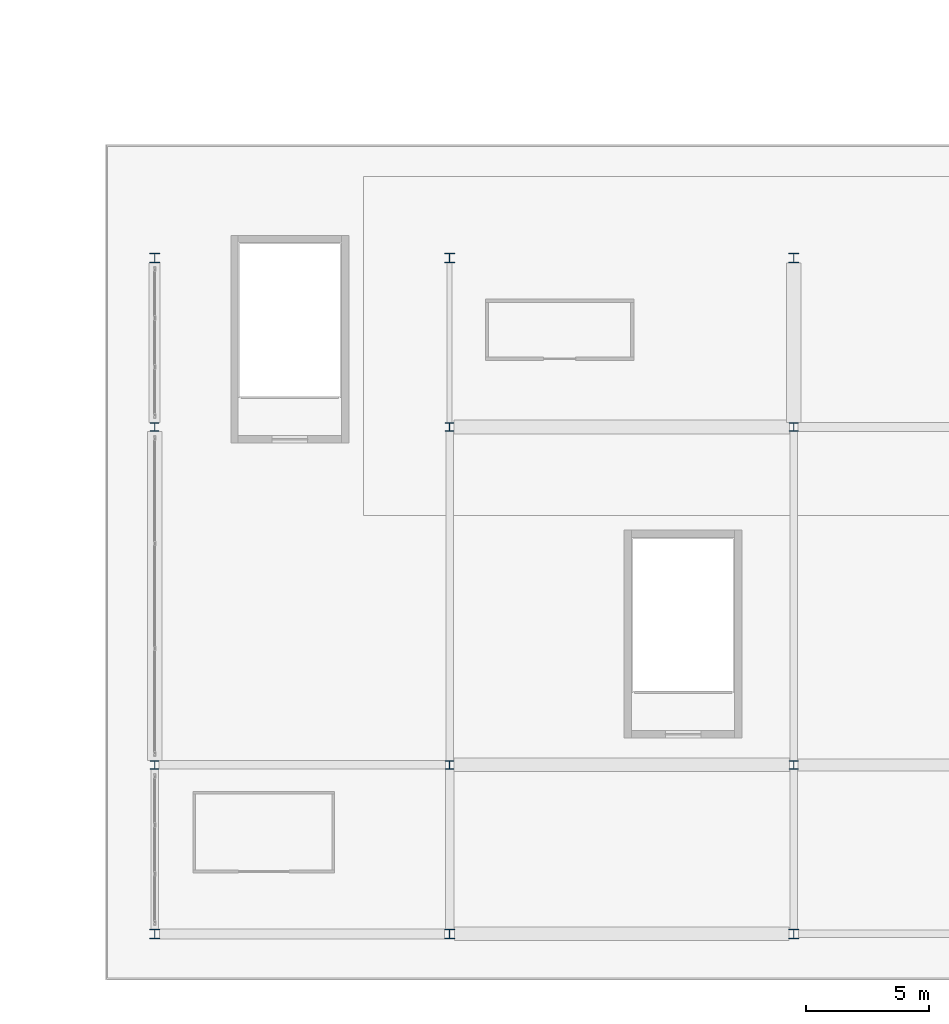
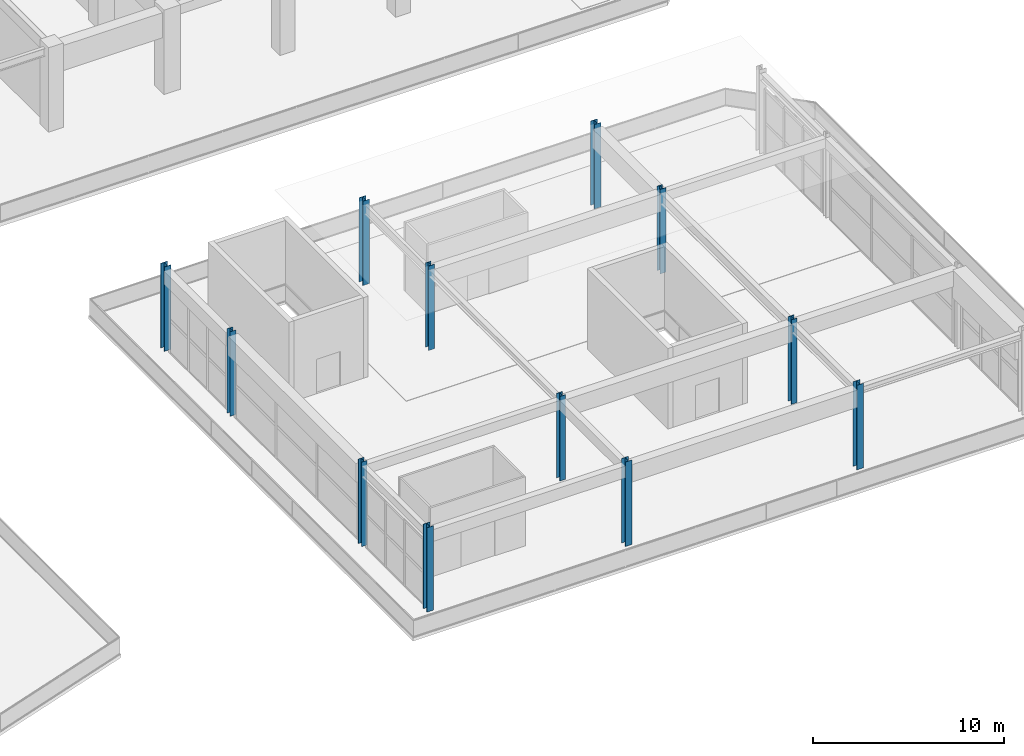
# One storey, part 9 of 117: 12 columns.
"""IFC4 building model written with IfcOpenShell, lengths in metres."""

import ifcopenshell
import ifcopenshell.guid

model = None  # the IFC model being written
_history = None  # IfcOwnerHistory: only IFC2X3 demands one
_inside = {}  # id of a spatial element -> (the spatial element, [elements in it])
_under = {}  # id of a project, library or spatial element -> (it, [spatial elements below it])
_declared = {}  # id of a project -> (the project, [libraries it declares])
_typed = {}  # id of a type object -> (the type object, [elements of that type])
_made_of = {}  # id of a material, layer set ... -> (it, [elements and type objects made of it])


def new_model(schema):
    """Start an empty IFC model of exactly this schema.

    Asked for "IFC4X3", IfcOpenShell would pick the latest addendum, in which some entities
    have other attributes; the version numbers below select the first issue.
    IFC2X3 requires an IfcOwnerHistory on every rooted entity: one is made here for all.
    """
    global model, _history
    if schema == "IFC4X3":
        model = ifcopenshell.file(schema_version=(4, 3, 0, 0))
    else:
        model = ifcopenshell.file(schema=schema)
    _inside.clear()
    _under.clear()
    _declared.clear()
    _typed.clear()
    _made_of.clear()
    _history = None
    if model.schema == "IFC2X3":
        org = make("IfcOrganization", Name="unknown")
        user = make(
            "IfcPersonAndOrganization",
            ThePerson=make("IfcPerson", FamilyName="unknown"),
            TheOrganization=org,
        )
        app = make(
            "IfcApplication",
            ApplicationDeveloper=org,
            Version="unknown",
            ApplicationFullName="unknown",
            ApplicationIdentifier="unknown",
        )
        _history = make(
            "IfcOwnerHistory",
            OwningUser=user,
            OwningApplication=app,
            ChangeAction="ADDED",
            CreationDate=0,
        )
    return model


def make(cls, **values):
    """One entity of the class cls with the attributes given. An attribute that is None is left unset."""
    return model.create_entity(
        cls, **{name: value for name, value in values.items() if value is not None}
    )


def rooted(cls, **values):
    """An entity with a GlobalId (a new one), such as an element, a storey or a relation."""
    return make(cls, GlobalId=ifcopenshell.guid.new(), OwnerHistory=_history, **values)


def si_unit(unit_type, name, prefix=None):
    """IfcSIUnit, for example si_unit("LENGTHUNIT", "METRE", prefix="MILLI")."""
    return make("IfcSIUnit", UnitType=unit_type, Prefix=prefix, Name=name)


def assignment(units):
    """IfcUnitAssignment: the units of a project."""
    return None if units is None else make("IfcUnitAssignment", Units=units)


def point(xyz):
    """IfcCartesianPoint."""
    return None if xyz is None else make("IfcCartesianPoint", Coordinates=xyz)


def direction(xyz):
    """IfcDirection."""
    return None if xyz is None else make("IfcDirection", DirectionRatios=xyz)


def frame(location, z_axis=None, x_axis=None):
    """IfcAxis2Placement3D, a coordinate frame: its origin and axes. An axis left out is left unset."""
    return make(
        "IfcAxis2Placement3D",
        Location=point(location),
        Axis=direction(z_axis),
        RefDirection=direction(x_axis),
    )


def frame_2d(location, x_axis=None):
    """IfcAxis2Placement2D, a coordinate frame in the plane: its origin and x axis."""
    return make(
        "IfcAxis2Placement2D", Location=point(location), RefDirection=direction(x_axis)
    )


def origin():
    """The frame at (0, 0, 0) with its axes left unset."""
    return frame((0.0, 0.0, 0.0))


def origin_2d():
    """The frame at (0, 0) in the plane with its x axis left unset."""
    return frame_2d((0.0, 0.0))


def place(relative_to, where):
    """IfcLocalPlacement: puts the frame where relative to a parent placement (None: the world)."""
    return make(
        "IfcLocalPlacement", PlacementRelTo=relative_to, RelativePlacement=where
    )


def context(
    kind, dimensions, precision=None, world=None, true_north=None, identifier=None
):
    """IfcGeometricRepresentationContext, for example the 3D "Model" context."""
    return make(
        "IfcGeometricRepresentationContext",
        ContextIdentifier=identifier,
        ContextType=kind,
        CoordinateSpaceDimension=dimensions,
        Precision=precision,
        WorldCoordinateSystem=world,
        TrueNorth=true_north,
    )


def subcontext(parent, identifier, kind, view, scale=None):
    """IfcGeometricRepresentationSubContext, for example "Body" below "Model"."""
    return make(
        "IfcGeometricRepresentationSubContext",
        ContextIdentifier=identifier,
        ContextType=kind,
        ParentContext=parent,
        TargetScale=scale,
        TargetView=view,
    )


def project(units=None, contexts=None):
    """IfcProject with its units and contexts."""
    return rooted(
        "IfcProject",
        Name="project",
        RepresentationContexts=contexts,
        UnitsInContext=assignment(units),
    )


def spatial(cls, under=None, at=None, **own):
    """A site, building, storey or space (cls), placed at a placement, below another one or the project."""
    s = rooted(cls, ObjectPlacement=at, **own)
    if under is not None:
        _under.setdefault(under.id(), (under, []))[1].append(s)
    return s


def profile(cls, at=None, kind="AREA", **sizes):
    """A parametric profile (cls). Its sizes go by their IFC names, for example OverallWidth=200.0."""
    return make(cls, ProfileType=kind, Position=at, **sizes)


def i_section(**sizes):
    """IfcIShapeProfileDef."""
    return profile("IfcIShapeProfileDef", **sizes)


def extrude(swept, where, along, depth):
    """IfcExtrudedAreaSolid: the profile swept, set in the frame where, extruded along a direction by depth."""
    return make(
        "IfcExtrudedAreaSolid",
        SweptArea=swept,
        Position=where,
        ExtrudedDirection=direction(along),
        Depth=depth,
    )


def shape(context_of_items, identifier, shape_type, items):
    """IfcShapeRepresentation: the items that make up one representation, for example the "Body"."""
    return make(
        "IfcShapeRepresentation",
        ContextOfItems=context_of_items,
        RepresentationIdentifier=identifier,
        RepresentationType=shape_type,
        Items=items,
    )


def material(Name=None, Category=None):
    """IfcMaterial."""
    return make("IfcMaterial", Name=Name, Category=Category)


def material_profile(
    of_material, cross_section, Name=None, Category=None, Priority=None
):
    """IfcMaterialProfile: a cross section and its material."""
    return make(
        "IfcMaterialProfile",
        Name=Name,
        Material=of_material,
        Profile=cross_section,
        Priority=Priority,
        Category=Category,
    )


def profile_set(profiles, Name=None, composite=None):
    """IfcMaterialProfileSet."""
    return make(
        "IfcMaterialProfileSet",
        Name=Name,
        MaterialProfiles=profiles,
        CompositeProfile=composite,
    )


def made_of(thing, what):
    """Note that an element or type object is made of a material, layer set ...; save() writes the relation."""
    if what is not None:
        _made_of.setdefault(what.id(), (what, []))[1].append(thing)
    return thing


def type_object(cls, material=None, **own):
    """A type object (cls), such as IfcWallType, which elements share."""
    return made_of(rooted(cls, **own), material)


def element(
    cls,
    number,
    at=None,
    inside=None,
    cuts=None,
    type_object=None,
    material=None,
    context=None,
    identifier="Body",
    shape_type=None,
    held_by="IfcProductDefinitionShape",
    body=None,
    shapes=None,
    **own,
):
    """One element of the class cls, such as IfcWall. Its Tag is "e" and its number.

    at: its placement. inside: the storey or other place that contains it. cuts: it is an
    opening in that element (IfcRelVoidsElement). A single representation is given by context,
    identifier, shape_type and body (its items); several are given by shapes. held_by: the class
    of the entity that holds the representations. save() writes the other relations.
    """
    e = rooted(cls, Tag="e%d" % number, ObjectPlacement=at, **own)
    if body is not None:
        shapes = [shape(context, identifier, shape_type, body)]
    if shapes is not None:
        e.Representation = make(held_by, Representations=shapes)
    if inside is not None:
        _inside.setdefault(inside.id(), (inside, []))[1].append(e)
    if cuts is not None:
        rooted(
            "IfcRelVoidsElement", RelatingBuildingElement=cuts, RelatedOpeningElement=e
        )
    if type_object is not None:
        _typed.setdefault(type_object.id(), (type_object, []))[1].append(e)
    return made_of(e, material)


def aggregate(whole, parts):
    """IfcRelAggregates: a whole, such as a stair, and the parts it consists of."""
    return rooted("IfcRelAggregates", RelatingObject=whole, RelatedObjects=parts)


def save(model, path):
    """Write the relations noted so far, then the file.

    IfcRelAggregates (storeys below a building ...), IfcRelContainedInSpatialStructure (elements
    in a storey), IfcRelDefinesByType, IfcRelAssociatesMaterial and IfcRelDeclares: one each for
    every whole, place, type object, material and project.
    """
    for whole, parts in _under.values():
        aggregate(whole, parts)
    for where, things in _inside.values():
        rooted(
            "IfcRelContainedInSpatialStructure",
            RelatedElements=things,
            RelatingStructure=where,
        )
    for kind, things in _typed.values():
        rooted("IfcRelDefinesByType", RelatedObjects=things, RelatingType=kind)
    for what, things in _made_of.values():
        rooted("IfcRelAssociatesMaterial", RelatedObjects=things, RelatingMaterial=what)
    for by, libraries in _declared.values():
        rooted("IfcRelDeclares", RelatingContext=by, RelatedDefinitions=libraries)
    model.write(path)


model = new_model("IFC4")

# Units and contexts
model_context = context("Model", 3, precision=1e-05, world=origin(), true_north=direction((0.0, 1.0)))
body_context = subcontext(model_context, "Body", "Model", "MODEL_VIEW")
ifc_project = project(units=[si_unit("LENGTHUNIT", "METRE"), si_unit("AREAUNIT", "SQUARE_METRE"), si_unit("VOLUMEUNIT", "CUBIC_METRE"), si_unit("PLANEANGLEUNIT", "RADIAN"), si_unit("MASSUNIT", "GRAM", prefix="KILO")], contexts=[model_context])

# Site, building, storey
site_placement = place(None, origin())
site = spatial("IfcSite", under=ifc_project, at=site_placement, CompositionType="ELEMENT")
building_placement = place(site_placement, origin())
building = spatial("IfcBuilding", under=site, at=building_placement, Name="Linyun Crest Stadium", CompositionType="ELEMENT")
storey_placement = place(building_placement, frame((0.0, 0.0, 6.0)))
storey = spatial("IfcBuildingStorey", under=building, at=storey_placement, Name="L02", CompositionType="ELEMENT", Elevation=6.0)

# Columns
ifc_material_1 = material(Name="Steel Q355C", Category="steel")
ifc_material_profile_1 = material_profile(ifc_material_1, i_section(OverallWidth=0.35009765625, OverallDepth=0.35009765625, WebThickness=0.011962890625, FlangeThickness=0.01904296875, at=origin_2d()), Name="HW 350x350")
ifc_profile_set_1 = profile_set([ifc_material_profile_1], Name="Steel Q355C")
column_type_1 = type_object("IfcColumnType", Name="SC01", PredefinedType="COLUMN", material=ifc_profile_set_1)
for number, where, z_axis, x_axis, name in (
    (1, (58.0, -87.25, 0.0), (0.0, 0.0, 1.0), (1.0, 0.0, 0.0), "Column SC01 L02 903"),
    (2, (58.0, -73.5, 0.0), (0.0, 0.0, 1.0), (1.0, 0.0, 0.0), "Column SC01 L02 906"),
    (3, (70.0, -87.25, 0.0), (0.0, 0.0, 1.0), (1.0, 0.0, 0.0), "Column SC01 L02 915"),
    (4, (70.0, -73.5, 0.0), (0.0, 0.0, 1.0), (1.0, 0.0, 0.0), "Column SC01 L02 918"),
    (5, (84.0, -87.25, 0.0), (0.0, 0.0, 1.0), (1.0, 0.0, 0.0), "Column SC01 L02 927"),
    (6, (84.0, -73.5, 0.0), (0.0, 0.0, 1.0), (1.0, 0.0, 0.0), "Column SC01 L02 930"),
):
    element("IfcColumn", number, at=place(storey_placement, frame(where, z_axis=z_axis, x_axis=x_axis)), inside=storey, type_object=column_type_1, Name=name, PredefinedType="COLUMN", context=body_context, shape_type="SweptSolid", body=[
        extrude(i_section(OverallWidth=0.35009765625, OverallDepth=0.35009765625, WebThickness=0.011962890625, FlangeThickness=0.01904296875, at=origin_2d()), origin(), (0.0, 0.0, 1.0), 5.39990234375),
    ])
ifc_material_2 = material(Name="Steel Q355C", Category="steel")
ifc_material_profile_2 = material_profile(ifc_material_2, i_section(OverallWidth=0.39990234375, OverallDepth=0.39990234375, WebThickness=0.012939453125, FlangeThickness=0.02099609375, at=origin_2d()), Name="HW 400x400")
ifc_profile_set_2 = profile_set([ifc_material_profile_2], Name="Steel Q355C")
column_type_2 = type_object("IfcColumnType", Name="SC02", PredefinedType="COLUMN", material=ifc_profile_set_2)
for number, where, z_axis, x_axis, name in (
    (7, (58.0, -94.125, 0.0), (0.0, 0.0, 1.0), (1.0, 0.0, 0.0), "Column SC02 L02 900"),
    (8, (58.0, -66.625, 0.0), (0.0, 0.0, 1.0), (1.0, 0.0, 0.0), "Column SC02 L02 909"),
    (9, (70.0, -94.125, 0.0), (0.0, 0.0, 1.0), (1.0, 0.0, 0.0), "Column SC02 L02 912"),
    (10, (70.0, -66.625, 0.0), (0.0, 0.0, 1.0), (1.0, 0.0, 0.0), "Column SC02 L02 921"),
    (11, (84.0, -94.125, 0.0), (0.0, 0.0, 1.0), (1.0, 0.0, 0.0), "Column SC02 L02 924"),
    (12, (84.0, -66.625, 0.0), (0.0, 0.0, 1.0), (1.0, 0.0, 0.0), "Column SC02 L02 933"),
):
    element("IfcColumn", number, at=place(storey_placement, frame(where, z_axis=z_axis, x_axis=x_axis)), inside=storey, type_object=column_type_2, Name=name, PredefinedType="COLUMN", context=body_context, shape_type="SweptSolid", body=[
        extrude(i_section(OverallWidth=0.39990234375, OverallDepth=0.39990234375, WebThickness=0.012939453125, FlangeThickness=0.02099609375, at=origin_2d()), origin(), (0.0, 0.0, 1.0), 5.39990234375),
    ])

save(model, "model.ifc")
